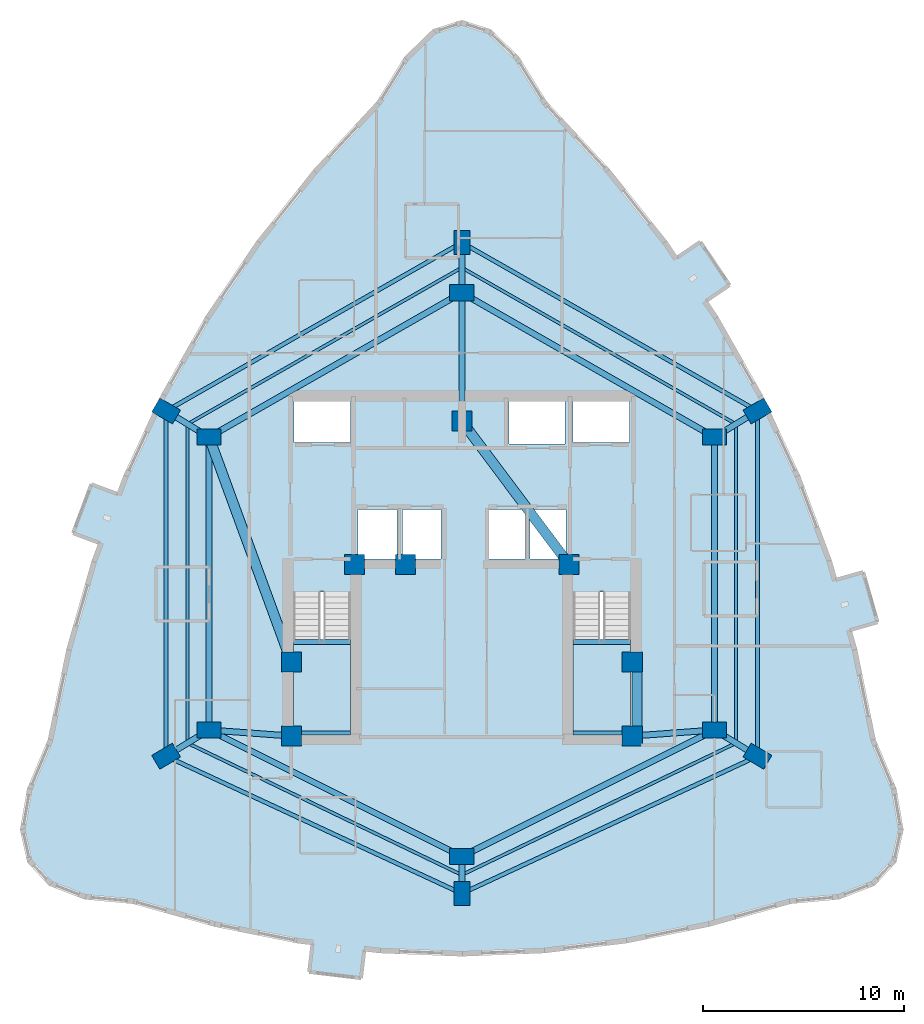
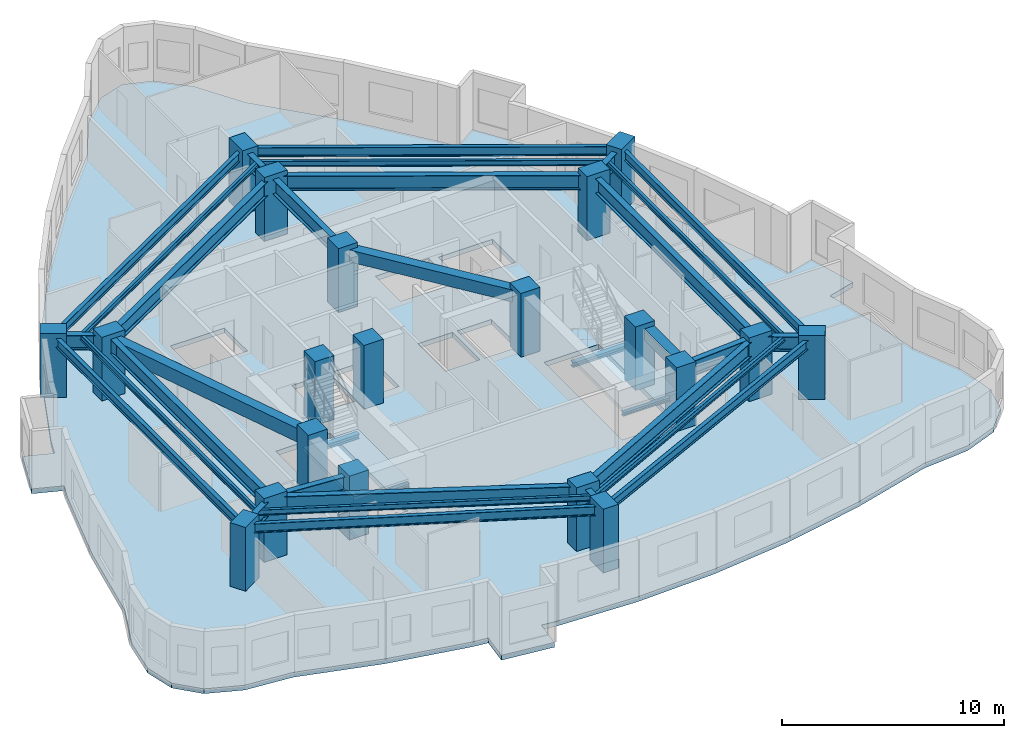
# One storey, part 1 of 10: 34 beams, 20 columns, 3 slabs, 2 elements without a shape of their own.
"""IFC4 building model written with IfcOpenShell, lengths in metres."""

from ifc_helpers import new_model, si_unit, direction, frame, origin, origin_2d, place, context, subcontext, project, spatial, polyline, rectangle, i_section, outline, extrude, material, layer, layer_set, material_profile, profile_set, type_object, element, aggregate, save


model = new_model("IFC4")

# Units and contexts
model_context = context("Model", 3, precision=1e-05, world=origin(), true_north=direction((0.0, 1.0)))
body_context = subcontext(model_context, "Body", "Model", "MODEL_VIEW")
ifc_project = project(units=[si_unit("LENGTHUNIT", "METRE"), si_unit("AREAUNIT", "SQUARE_METRE"), si_unit("VOLUMEUNIT", "CUBIC_METRE"), si_unit("PLANEANGLEUNIT", "RADIAN"), si_unit("MASSUNIT", "GRAM", prefix="KILO")], contexts=[model_context])

# Site, building, storey
site_placement = place(None, origin())
site = spatial("IfcSite", under=ifc_project, at=site_placement, CompositionType="ELEMENT")
building_placement = place(site_placement, origin())
building = spatial("IfcBuilding", under=site, at=building_placement, Name="Miruveldt Soraemaru", CompositionType="ELEMENT")
storey_placement = place(building_placement, frame((0.0, 0.0, 121.39990234375)))
storey = spatial("IfcBuildingStorey", under=building, at=storey_placement, Name="L33", CompositionType="ELEMENT", Elevation=121.39990234375)

# Columns
ifc_material_1 = material(Name="Concrete C60/75 (60 MPa)", Category="concrete")
ifc_material_profile_1 = material_profile(ifc_material_1, rectangle(XDim=1.0, YDim=1.0, at=origin_2d()), Name="Concrete C60/75 (60 MPa)", Category="concrete")
ifc_profile_set_1 = profile_set([ifc_material_profile_1], Name="Concrete C60/75 (60 MPa)")
column_type_1 = type_object("IfcColumnType", Name="COL-CORE-1000", PredefinedType="COLUMN", material=ifc_profile_set_1)
for number, where, z_axis, x_axis, name in (
    (1, (35.5, 35.5, 0.0), (0.0, 0.0, 1.0), (1.0, 0.0, 0.0), "L33 Structural Column CC1"),
    (2, (38.64990234375, 44.050048828125, 0.0), (0.0, 0.0, 1.0), (1.0, 0.0, 0.0), "L33 Structural Column CC2"),
    (3, (52.5, 35.5, 0.0), (0.0, 0.0, 1.0), (1.0, 0.0, 0.0), "L33 Structural Column CC3"),
    (4, (52.5, 39.199951171875, 0.0), (0.0, 0.0, 1.0), (1.0, 0.0, 0.0), "L33 Structural Column CC4"),
    (5, (49.35009765625, 44.050048828125, 0.0), (0.0, 0.0, 1.0), (1.0, 0.0, 0.0), "L33 Structural Column CC5"),
    (6, (44.0, 51.199951171875, 0.0), (0.0, 0.0, 1.0), (1.0, 0.0, 0.0), "L33 Structural Column CC6"),
    (7, (35.5, 39.199951171875, 0.0), (0.0, 0.0, 1.0), (1.0, 0.0, 0.0), "L33 Structural Column CC7"),
    (8, (41.199951171875, 44.050048828125, 0.0), (0.0, 0.0, 1.0), (1.0, 0.0, 0.0), "L33 Structural Column CC8"),
):
    element("IfcColumn", number, at=place(storey_placement, frame(where, z_axis=z_axis, x_axis=x_axis)), inside=storey, type_object=column_type_1, Name=name, PredefinedType="COLUMN", context=body_context, shape_type="SweptSolid", body=[
        extrude(rectangle(XDim=1.0, YDim=1.0, at=origin_2d()), origin(), (0.0, 0.0, 1.0), 3.5),
    ])
ifc_material_2 = material(Name="Concrete C70/85 (70 MPa)", Category="concrete")
ifc_material_profile_2 = material_profile(ifc_material_2, rectangle(XDim=1.199951171875, YDim=0.800048828125, at=origin_2d()), Name="Concrete C70/85 (70 MPa)", Category="concrete")
ifc_profile_set_2 = profile_set([ifc_material_profile_2], Name="Concrete C70/85 (70 MPa)")
column_type_2 = type_object("IfcColumnType", Name="COL-TW-Z2", PredefinedType="COLUMN", material=ifc_profile_set_2)
for number, where, z_axis, x_axis, name in (
    (9, (44.0, 57.60009765625, 0.0), (0.0, 0.0, 1.0), (1.0, 0.0, 0.0), "L33 Structural Column IR01"),
    (10, (56.60009765625, 50.39990234375, 0.0), (0.0, 0.0, 1.0), (1.0, 0.0, 0.0), "L33 Structural Column IR02"),
    (11, (56.60009765625, 35.800048828125, 0.0), (0.0, 0.0, 1.0), (1.0, 0.0, 0.0), "L33 Structural Column IR03"),
    (12, (44.0, 29.5, 0.0), (0.0, 0.0, 1.0), (1.0, 0.0, 0.0), "L33 Structural Column IR04"),
    (13, (31.39990234375, 35.800048828125, 0.0), (0.0, 0.0, 1.0), (1.0, 0.0, 0.0), "L33 Structural Column IR05"),
    (14, (31.39990234375, 50.39990234375, 0.0), (0.0, 0.0, 1.0), (1.0, 0.0, 0.0), "L33 Structural Column IR06"),
    (15, (44.0, 60.10595703125, 0.0), (0.0, 0.0, 1.0), (0.0, 1.0, 0.0), "L33 Structural Column Z2P01"),
    (16, (58.739990234375, 51.705078125, 0.0), (0.0, 0.0, 1.0), (0.866025403784, 0.5, 0.0), "L33 Structural Column Z2P02"),
    (17, (58.739990234375, 34.4951171875, 0.0), (0.0, 0.0, 1.0), (-0.860742027004, 0.50904141575, 0.0), "L33 Structural Column Z2P03"),
    (18, (44.0, 27.64697265625, 0.0), (0.0, 0.0, 1.0), (0.0, 1.0, 0.0), "L33 Structural Column Z2P04"),
    (19, (29.260009765625, 34.4951171875, 0.0), (0.0, 0.0, 1.0), (0.860742027004, 0.50904141575, 0.0), "L33 Structural Column Z2P05"),
    (20, (29.260009765625, 51.705078125, 0.0), (0.0, 0.0, 1.0), (-0.866025403784, 0.5, 0.0), "L33 Structural Column Z2P06"),
):
    element("IfcColumn", number, at=place(storey_placement, frame(where, z_axis=z_axis, x_axis=x_axis)), inside=storey, type_object=column_type_2, Name=name, PredefinedType="COLUMN", context=body_context, shape_type="SweptSolid", body=[
        extrude(rectangle(XDim=1.199951171875, YDim=0.800048828125, at=origin_2d()), origin(), (0.0, 0.0, 1.0), 3.5),
    ])

# Beams
ifc_material_3 = material(Name="Concrete C50/60 (50 MPa)", Category="concrete")
ifc_material_profile_3 = material_profile(ifc_material_3, rectangle(XDim=0.5, YDim=0.64990234375, at=origin_2d()), Name="Concrete C50/60 (50 MPa)", Category="concrete")
ifc_profile_set_3 = profile_set([ifc_material_profile_3], Name="Concrete C50/60 (50 MPa)")
beam_type_1 = type_object("IfcBeamType", Name="BM-RC-500x650", PredefinedType="BEAM", material=ifc_profile_set_3)
beam_1_placement = place(storey_placement, frame((52.72998046875, 35.5, 2.91015625), z_axis=(0.0, 1.0, 0.0), x_axis=(-1.0, 0.0, 0.0)))
element("IfcBeam", 21, at=beam_1_placement, inside=storey, type_object=beam_type_1, Name="L33 Core Tie Beam 3", PredefinedType="BEAM", context=body_context, shape_type="SweptSolid", body=[
    extrude(rectangle(XDim=0.5, YDim=0.64990234375, at=origin_2d()), origin(), (0.0, 0.0, 1.0), 3.699951171875),
])
beam_2_placement = place(storey_placement, frame((49.35009765625, 44.050048828125, 2.91015625), z_axis=(-0.599116023999, 0.800662219533, 0.0), x_axis=(-0.800662219533, -0.599116023999, 0.0)))
element("IfcBeam", 22, at=beam_2_placement, inside=storey, type_object=beam_type_1, Name="L33 Core Tie Beam 5", PredefinedType="BEAM", context=body_context, shape_type="SweptSolid", body=[
    extrude(rectangle(XDim=0.5, YDim=0.64990234375, at=origin_2d()), origin(), (0.0, 0.0, 1.0), 8.929931640625),
])
ifc_material_4 = material(Name="Concrete C40/50 (40 MPa)", Category="concrete")
ifc_material_profile_4 = material_profile(ifc_material_4, rectangle(XDim=0.5, YDim=0.75, at=origin_2d()), Name="Concrete C40/50 (40 MPa)", Category="concrete")
ifc_profile_set_4 = profile_set([ifc_material_profile_4], Name="Concrete C40/50 (40 MPa)")
beam_type_2 = type_object("IfcBeamType", Name="BM-RC-500x750", PredefinedType="LINTEL", material=ifc_profile_set_4)
beam_3_placement = place(storey_placement, frame((31.39990234375, 50.39990234375, 2.860107421875), z_axis=(0.343770424598, -0.939053723262, 0.0), x_axis=(0.939053723262, 0.343770424598, 0.0)))
element("IfcBeam", 23, at=beam_3_placement, inside=storey, type_object=beam_type_2, Name="L33 West Lobby Lintel", PredefinedType="LINTEL", context=body_context, shape_type="SweptSolid", body=[
    extrude(rectangle(XDim=0.5, YDim=0.75, at=origin_2d()), origin(), (0.0, 0.0, 1.0), 11.9267578125),
])
ifc_material_5 = material(Name="Steel SM355 (355 MPa)", Category="steel")
ifc_material_profile_5 = material_profile(ifc_material_5, i_section(OverallWidth=0.14990234375, OverallDepth=0.300048828125, WebThickness=0.006591796875, FlangeThickness=0.009033203125, FilletRadius=0.012939453125, at=origin_2d()), Name="Steel SM355 (355 MPa)", Category="steel")
ifc_profile_set_5 = profile_set([ifc_material_profile_5], Name="Steel SM355 (355 MPa)")
beam_type_3 = type_object("IfcBeamType", Name="BM-ST-H300", PredefinedType="JOIST", material=ifc_profile_set_5)
beam_4_placement = place(storey_placement, frame((44.0, 58.85302734375, 3.085205078125), z_axis=(0.868539859756, -0.495619321672, 0.0), x_axis=(0.495619321672, 0.868539859756, 0.0)))
element("IfcBeam", 24, at=beam_4_placement, inside=storey, type_object=beam_type_3, Name="L33 Outer Bay Floor Joist 1", PredefinedType="JOIST", context=body_context, shape_type="SweptSolid", body=[
    extrude(i_section(OverallWidth=0.14990234375, OverallDepth=0.300048828125, WebThickness=0.006591796875, FlangeThickness=0.009033203125, FilletRadius=0.012939453125, at=origin_2d()), origin(), (0.0, 0.0, 1.0), 15.739013671875),
])
beam_5_placement = place(storey_placement, frame((57.669921875, 51.052490234375, 3.085205078125), z_axis=(0.0, -1.0, 0.0), x_axis=(1.0, 0.0, 0.0)))
element("IfcBeam", 25, at=beam_5_placement, inside=storey, type_object=beam_type_3, Name="L33 Outer Bay Floor Joist 2", PredefinedType="JOIST", context=body_context, shape_type="SweptSolid", body=[
    extrude(i_section(OverallWidth=0.14990234375, OverallDepth=0.300048828125, WebThickness=0.006591796875, FlangeThickness=0.009033203125, FilletRadius=0.012939453125, at=origin_2d()), origin(), (0.0, 0.0, 1.0), 15.905029296875),
])
for number, where, z_axis, x_axis, name in (
    (26, (57.669921875, 35.1474609375, 3.085205078125), (-0.901203586802, -0.433396002676, 0.0), (0.433396002676, -0.901203586802, 0.0), "L33 Outer Bay Floor Joist 3"),
    (27, (44.0, 28.573486328125, 3.085205078125), (-0.901203586802, 0.433396002676, 0.0), (-0.433396002676, -0.901203586802, 0.0), "L33 Outer Bay Floor Joist 4"),
):
    element("IfcBeam", number, at=place(storey_placement, frame(where, z_axis=z_axis, x_axis=x_axis)), inside=storey, type_object=beam_type_3, Name=name, PredefinedType="JOIST", context=body_context, shape_type="SweptSolid", body=[
        extrude(i_section(OverallWidth=0.14990234375, OverallDepth=0.300048828125, WebThickness=0.006591796875, FlangeThickness=0.009033203125, FilletRadius=0.012939453125, at=origin_2d()), origin(), (0.0, 0.0, 1.0), 15.16845703125),
    ])
beam_6_placement = place(storey_placement, frame((30.330078125, 35.1474609375, 3.085205078125), z_axis=(0.0, 1.0, 0.0), x_axis=(-1.0, 0.0, 0.0)))
element("IfcBeam", 28, at=beam_6_placement, inside=storey, type_object=beam_type_3, Name="L33 Outer Bay Floor Joist 5", PredefinedType="JOIST", context=body_context, shape_type="SweptSolid", body=[
    extrude(i_section(OverallWidth=0.14990234375, OverallDepth=0.300048828125, WebThickness=0.006591796875, FlangeThickness=0.009033203125, FilletRadius=0.012939453125, at=origin_2d()), origin(), (0.0, 0.0, 1.0), 15.905029296875),
])
beam_7_placement = place(storey_placement, frame((30.330078125, 51.052490234375, 3.085205078125), z_axis=(0.868539859756, 0.495619321672, 0.0), x_axis=(-0.495619321672, 0.868539859756, 0.0)))
element("IfcBeam", 29, at=beam_7_placement, inside=storey, type_object=beam_type_3, Name="L33 Outer Bay Floor Joist 6", PredefinedType="JOIST", context=body_context, shape_type="SweptSolid", body=[
    extrude(i_section(OverallWidth=0.14990234375, OverallDepth=0.300048828125, WebThickness=0.006591796875, FlangeThickness=0.009033203125, FilletRadius=0.012939453125, at=origin_2d()), origin(), (0.0, 0.0, 1.0), 15.739013671875),
])
ifc_material_profile_6 = material_profile(ifc_material_5, i_section(OverallWidth=0.199951171875, OverallDepth=0.5, WebThickness=0.010009765625, FlangeThickness=0.01611328125, FilletRadius=0.02001953125, at=origin_2d()), Name="Steel SM355 (355 MPa)", Category="steel")
ifc_profile_set_6 = profile_set([ifc_material_profile_6], Name="Steel SM355 (355 MPa)")
beam_type_4 = type_object("IfcBeamType", Name="BM-ST-H500", PredefinedType="SPANDREL", material=ifc_profile_set_6)
beam_8_placement = place(storey_placement, frame((44.0, 60.10595703125, 2.985107421875), z_axis=(0.86880048516, -0.495162313778, 0.0), x_axis=(0.495162313778, 0.86880048516, 0.0)))
element("IfcBeam", 30, at=beam_8_placement, inside=storey, type_object=beam_type_4, Name="L33 Zone-2 Spandrel Beam 1", PredefinedType="SPANDREL", context=body_context, shape_type="SweptSolid", body=[
    extrude(i_section(OverallWidth=0.199951171875, OverallDepth=0.5, WebThickness=0.010009765625, FlangeThickness=0.01611328125, FilletRadius=0.02001953125, at=origin_2d()), origin(), (0.0, 0.0, 1.0), 16.9658203125),
])
beam_9_placement = place(storey_placement, frame((58.739990234375, 51.705078125, 2.985107421875), z_axis=(0.0, -1.0, 0.0), x_axis=(1.0, 0.0, 0.0)))
element("IfcBeam", 31, at=beam_9_placement, inside=storey, type_object=beam_type_4, Name="L33 Zone-2 Spandrel Beam 2", PredefinedType="SPANDREL", context=body_context, shape_type="SweptSolid", body=[
    extrude(i_section(OverallWidth=0.199951171875, OverallDepth=0.5, WebThickness=0.010009765625, FlangeThickness=0.01611328125, FilletRadius=0.02001953125, at=origin_2d()), origin(), (0.0, 0.0, 1.0), 17.2099609375),
])
for number, where, z_axis, x_axis, name in (
    (32, (58.739990234375, 34.4951171875, 2.985107421875), (-0.906901362829, -0.421342993414, 0.0), (0.421342993414, -0.906901362829, 0.0), "L33 Zone-2 Spandrel Beam 3"),
    (33, (44.0, 27.64697265625, 2.985107421875), (-0.906901362829, 0.421342993414, 0.0), (-0.421342993414, -0.906901362829, 0.0), "L33 Zone-2 Spandrel Beam 4"),
):
    element("IfcBeam", number, at=place(storey_placement, frame(where, z_axis=z_axis, x_axis=x_axis)), inside=storey, type_object=beam_type_4, Name=name, PredefinedType="SPANDREL", context=body_context, shape_type="SweptSolid", body=[
        extrude(i_section(OverallWidth=0.199951171875, OverallDepth=0.5, WebThickness=0.010009765625, FlangeThickness=0.01611328125, FilletRadius=0.02001953125, at=origin_2d()), origin(), (0.0, 0.0, 1.0), 16.253173828125),
    ])
beam_10_placement = place(storey_placement, frame((29.260009765625, 34.4951171875, 2.985107421875), z_axis=(0.0, 1.0, 0.0), x_axis=(-1.0, 0.0, 0.0)))
element("IfcBeam", 34, at=beam_10_placement, inside=storey, type_object=beam_type_4, Name="L33 Zone-2 Spandrel Beam 5", PredefinedType="SPANDREL", context=body_context, shape_type="SweptSolid", body=[
    extrude(i_section(OverallWidth=0.199951171875, OverallDepth=0.5, WebThickness=0.010009765625, FlangeThickness=0.01611328125, FilletRadius=0.02001953125, at=origin_2d()), origin(), (0.0, 0.0, 1.0), 17.2099609375),
])
beam_11_placement = place(storey_placement, frame((29.260009765625, 51.705078125, 2.985107421875), z_axis=(0.86880048516, 0.495162313778, 0.0), x_axis=(-0.495162313778, 0.86880048516, 0.0)))
element("IfcBeam", 35, at=beam_11_placement, inside=storey, type_object=beam_type_4, Name="L33 Zone-2 Spandrel Beam 6", PredefinedType="SPANDREL", context=body_context, shape_type="SweptSolid", body=[
    extrude(i_section(OverallWidth=0.199951171875, OverallDepth=0.5, WebThickness=0.010009765625, FlangeThickness=0.01611328125, FilletRadius=0.02001953125, at=origin_2d()), origin(), (0.0, 0.0, 1.0), 16.9658203125),
])
ifc_material_6 = material(Name="Steel S460 (460 MPa)", Category="steel")
ifc_material_profile_7 = material_profile(ifc_material_6, i_section(OverallWidth=0.300048828125, OverallDepth=0.800048828125, WebThickness=0.013916015625, FlangeThickness=0.02587890625, FilletRadius=0.028076171875, at=origin_2d()), Name="Steel S460 (460 MPa)", Category="steel")
ifc_profile_set_7 = profile_set([ifc_material_profile_7], Name="Steel S460 (460 MPa)")
beam_type_5 = type_object("IfcBeamType", Name="BM-ST-H800", PredefinedType="BEAM", material=ifc_profile_set_7)
beam_12_placement = place(storey_placement, frame((44.0, 57.60009765625, 2.835205078125), z_axis=(0.868239001029, -0.496146185203, 0.0), x_axis=(0.496146185203, 0.868239001029, 0.0)))
element("IfcBeam", 36, at=beam_12_placement, inside=storey, type_object=beam_type_5, Name="L33 Inner Ring Girder 1", PredefinedType="BEAM", context=body_context, shape_type="SweptSolid", body=[
    extrude(i_section(OverallWidth=0.300048828125, OverallDepth=0.800048828125, WebThickness=0.013916015625, FlangeThickness=0.02587890625, FilletRadius=0.028076171875, at=origin_2d()), origin(), (0.0, 0.0, 1.0), 14.51220703125),
])
beam_13_placement = place(storey_placement, frame((44.0, 51.199951171875, 2.835205078125), z_axis=(0.0, 1.0, 0.0), x_axis=(-1.0, 0.0, 0.0)))
element("IfcBeam", 37, at=beam_13_placement, inside=storey, type_object=beam_type_5, Name="L33 Core-to-Inner Radial Girder 1", PredefinedType="BEAM", context=body_context, shape_type="SweptSolid", body=[
    extrude(i_section(OverallWidth=0.300048828125, OverallDepth=0.800048828125, WebThickness=0.013916015625, FlangeThickness=0.02587890625, FilletRadius=0.028076171875, at=origin_2d()), origin(), (0.0, 0.0, 1.0), 6.400146484375),
])
beam_14_placement = place(storey_placement, frame((56.60009765625, 50.39990234375, 2.835205078125), z_axis=(0.0, -1.0, 0.0), x_axis=(1.0, 0.0, 0.0)))
element("IfcBeam", 38, at=beam_14_placement, inside=storey, type_object=beam_type_5, Name="L33 Inner Ring Girder 2", PredefinedType="BEAM", context=body_context, shape_type="SweptSolid", body=[
    extrude(i_section(OverallWidth=0.300048828125, OverallDepth=0.800048828125, WebThickness=0.013916015625, FlangeThickness=0.02587890625, FilletRadius=0.028076171875, at=origin_2d()), origin(), (0.0, 0.0, 1.0), 14.599853515625),
])
beam_15_placement = place(storey_placement, frame((56.60009765625, 35.800048828125, 2.835205078125), z_axis=(-0.894427191, -0.4472135955, 0.0), x_axis=(0.4472135955, -0.894427191, 0.0)))
element("IfcBeam", 39, at=beam_15_placement, inside=storey, type_object=beam_type_5, Name="L33 Inner Ring Girder 3", PredefinedType="BEAM", context=body_context, shape_type="SweptSolid", body=[
    extrude(i_section(OverallWidth=0.300048828125, OverallDepth=0.800048828125, WebThickness=0.013916015625, FlangeThickness=0.02587890625, FilletRadius=0.028076171875, at=origin_2d()), origin(), (0.0, 0.0, 1.0), 14.08740234375),
])
beam_16_placement = place(storey_placement, frame((52.5, 35.5, 2.835205078125), z_axis=(0.997332985605, 0.072985723431, 0.0), x_axis=(-0.072985723431, 0.997332985605, 0.0)))
element("IfcBeam", 40, at=beam_16_placement, inside=storey, type_object=beam_type_5, Name="L33 Core-to-Inner Radial Girder 3", PredefinedType="BEAM", context=body_context, shape_type="SweptSolid", body=[
    extrude(i_section(OverallWidth=0.300048828125, OverallDepth=0.800048828125, WebThickness=0.013916015625, FlangeThickness=0.02587890625, FilletRadius=0.028076171875, at=origin_2d()), origin(), (0.0, 0.0, 1.0), 4.111083984375),
])
beam_17_placement = place(storey_placement, frame((44.0, 29.5, 2.835205078125), z_axis=(-0.894427191, 0.4472135955, 0.0), x_axis=(-0.4472135955, -0.894427191, 0.0)))
element("IfcBeam", 41, at=beam_17_placement, inside=storey, type_object=beam_type_5, Name="L33 Inner Ring Girder 4", PredefinedType="BEAM", context=body_context, shape_type="SweptSolid", body=[
    extrude(i_section(OverallWidth=0.300048828125, OverallDepth=0.800048828125, WebThickness=0.013916015625, FlangeThickness=0.02587890625, FilletRadius=0.028076171875, at=origin_2d()), origin(), (0.0, 0.0, 1.0), 14.08740234375),
])
beam_18_placement = place(storey_placement, frame((31.39990234375, 35.800048828125, 2.835205078125), z_axis=(0.0, 1.0, 0.0), x_axis=(-1.0, 0.0, 0.0)))
element("IfcBeam", 42, at=beam_18_placement, inside=storey, type_object=beam_type_5, Name="L33 Inner Ring Girder 5", PredefinedType="BEAM", context=body_context, shape_type="SweptSolid", body=[
    extrude(i_section(OverallWidth=0.300048828125, OverallDepth=0.800048828125, WebThickness=0.013916015625, FlangeThickness=0.02587890625, FilletRadius=0.028076171875, at=origin_2d()), origin(), (0.0, 0.0, 1.0), 14.599853515625),
])
beam_19_placement = place(storey_placement, frame((35.5, 35.5, 2.835205078125), z_axis=(-0.997332985605, 0.072985723431, 0.0), x_axis=(-0.072985723431, -0.997332985605, 0.0)))
element("IfcBeam", 43, at=beam_19_placement, inside=storey, type_object=beam_type_5, Name="L33 Core-to-Inner Radial Girder 5", PredefinedType="BEAM", context=body_context, shape_type="SweptSolid", body=[
    extrude(i_section(OverallWidth=0.300048828125, OverallDepth=0.800048828125, WebThickness=0.013916015625, FlangeThickness=0.02587890625, FilletRadius=0.028076171875, at=origin_2d()), origin(), (0.0, 0.0, 1.0), 4.111083984375),
])
beam_20_placement = place(storey_placement, frame((31.39990234375, 50.39990234375, 2.835205078125), z_axis=(0.868239001029, 0.496146185203, 0.0), x_axis=(-0.496146185203, 0.868239001029, 0.0)))
element("IfcBeam", 44, at=beam_20_placement, inside=storey, type_object=beam_type_5, Name="L33 Inner Ring Girder 6", PredefinedType="BEAM", context=body_context, shape_type="SweptSolid", body=[
    extrude(i_section(OverallWidth=0.300048828125, OverallDepth=0.800048828125, WebThickness=0.013916015625, FlangeThickness=0.02587890625, FilletRadius=0.028076171875, at=origin_2d()), origin(), (0.0, 0.0, 1.0), 14.51220703125),
])
beam_21_placement = place(storey_placement, frame((44.0, 57.60009765625, 2.835205078125), z_axis=(0.0, 1.0, 0.0), x_axis=(-1.0, 0.0, 0.0)))
element("IfcBeam", 45, at=beam_21_placement, inside=storey, type_object=beam_type_5, Name="L33 Zone-2 Radial Girder 1", PredefinedType="BEAM", context=body_context, shape_type="SweptSolid", body=[
    extrude(i_section(OverallWidth=0.300048828125, OverallDepth=0.800048828125, WebThickness=0.013916015625, FlangeThickness=0.02587890625, FilletRadius=0.028076171875, at=origin_2d()), origin(), (0.0, 0.0, 1.0), 2.505859375),
])
beam_22_placement = place(storey_placement, frame((56.60009765625, 50.39990234375, 2.835205078125), z_axis=(0.85373175529, 0.520713059188, 0.0), x_axis=(-0.520713059188, 0.85373175529, 0.0)))
element("IfcBeam", 46, at=beam_22_placement, inside=storey, type_object=beam_type_5, Name="L33 Zone-2 Radial Girder 2", PredefinedType="BEAM", context=body_context, shape_type="SweptSolid", body=[
    extrude(i_section(OverallWidth=0.300048828125, OverallDepth=0.800048828125, WebThickness=0.013916015625, FlangeThickness=0.02587890625, FilletRadius=0.028076171875, at=origin_2d()), origin(), (0.0, 0.0, 1.0), 2.506591796875),
])
beam_23_placement = place(storey_placement, frame((56.60009765625, 35.800048828125, 2.835205078125), z_axis=(0.853775054686, -0.5206420613, 0.0), x_axis=(0.5206420613, 0.853775054686, 0.0)))
element("IfcBeam", 47, at=beam_23_placement, inside=storey, type_object=beam_type_5, Name="L33 Zone-2 Radial Girder 3", PredefinedType="BEAM", context=body_context, shape_type="SweptSolid", body=[
    extrude(i_section(OverallWidth=0.300048828125, OverallDepth=0.800048828125, WebThickness=0.013916015625, FlangeThickness=0.02587890625, FilletRadius=0.028076171875, at=origin_2d()), origin(), (0.0, 0.0, 1.0), 2.50634765625),
])
beam_24_placement = place(storey_placement, frame((44.0, 29.5, 2.835205078125), z_axis=(0.0, -1.0, 0.0), x_axis=(1.0, 0.0, 0.0)))
element("IfcBeam", 48, at=beam_24_placement, inside=storey, type_object=beam_type_5, Name="L33 Zone-2 Radial Girder 4", PredefinedType="BEAM", context=body_context, shape_type="SweptSolid", body=[
    extrude(i_section(OverallWidth=0.300048828125, OverallDepth=0.800048828125, WebThickness=0.013916015625, FlangeThickness=0.02587890625, FilletRadius=0.028076171875, at=origin_2d()), origin(), (0.0, 0.0, 1.0), 1.85302734375),
])
beam_25_placement = place(storey_placement, frame((31.39990234375, 35.800048828125, 2.835205078125), z_axis=(-0.853775054686, -0.5206420613, 0.0), x_axis=(0.5206420613, -0.853775054686, 0.0)))
element("IfcBeam", 49, at=beam_25_placement, inside=storey, type_object=beam_type_5, Name="L33 Zone-2 Radial Girder 5", PredefinedType="BEAM", context=body_context, shape_type="SweptSolid", body=[
    extrude(i_section(OverallWidth=0.300048828125, OverallDepth=0.800048828125, WebThickness=0.013916015625, FlangeThickness=0.02587890625, FilletRadius=0.028076171875, at=origin_2d()), origin(), (0.0, 0.0, 1.0), 2.50634765625),
])
beam_26_placement = place(storey_placement, frame((31.39990234375, 50.39990234375, 2.835205078125), z_axis=(-0.85373175529, 0.520713059188, 0.0), x_axis=(-0.520713059188, -0.85373175529, 0.0)))
element("IfcBeam", 50, at=beam_26_placement, inside=storey, type_object=beam_type_5, Name="L33 Zone-2 Radial Girder 6", PredefinedType="BEAM", context=body_context, shape_type="SweptSolid", body=[
    extrude(i_section(OverallWidth=0.300048828125, OverallDepth=0.800048828125, WebThickness=0.013916015625, FlangeThickness=0.02587890625, FilletRadius=0.028076171875, at=origin_2d()), origin(), (0.0, 0.0, 1.0), 2.506591796875),
])
ifc_material_profile_8 = material_profile(ifc_material_5, i_section(OverallWidth=0.199951171875, OverallDepth=0.199951171875, WebThickness=0.008056640625, FlangeThickness=0.011962890625, FilletRadius=0.012939453125, at=origin_2d()), Name="Steel SM355 (355 MPa)", Category="steel")
ifc_profile_set_8 = profile_set([ifc_material_profile_8], Name="Steel SM355 (355 MPa)")
beam_type_6 = type_object("IfcBeamType", Name="BM-ST-LND200", PredefinedType="BEAM", material=ifc_profile_set_8)
for number, where, z_axis, x_axis, name in (
    (51, (35.60009765625, 35.64990234375, 1.4501953125), (1.0, 0.0, 0.0), (0.0, 1.0, 0.0), "L33 ST1 Landing End Beam 1B"),
    (52, (49.550048828125, 35.64990234375, 1.4501953125), (1.0, 0.0, 0.0), (0.0, 1.0, 0.0), "L33 ST2 Landing End Beam 1B"),
):
    element("IfcBeam", number, at=place(storey_placement, frame(where, z_axis=z_axis, x_axis=x_axis)), inside=storey, type_object=beam_type_6, Name=name, PredefinedType="BEAM", context=body_context, shape_type="SweptSolid", body=[
        extrude(i_section(OverallWidth=0.199951171875, OverallDepth=0.199951171875, WebThickness=0.008056640625, FlangeThickness=0.011962890625, FilletRadius=0.012939453125, at=origin_2d()), origin(), (0.0, 0.0, 1.0), 2.849853515625),
    ])
ifc_material_profile_9 = material_profile(ifc_material_5, i_section(OverallWidth=0.25, OverallDepth=0.25, WebThickness=0.009033203125, FlangeThickness=0.013916015625, FilletRadius=0.01611328125, at=origin_2d()), Name="Steel SM355 (355 MPa)", Category="steel")
ifc_profile_set_9 = profile_set([ifc_material_profile_9], Name="Steel SM355 (355 MPa)")
beam_type_7 = type_object("IfcBeamType", Name="BM-ST-LND250", PredefinedType="BEAM", material=ifc_profile_set_9)
for number, where, z_axis, x_axis, name in (
    (53, (35.60009765625, 40.179931640625, 1.425048828125), (1.0, 0.0, 0.0), (0.0, 1.0, 0.0), "L33 ST1 Landing Support Beam 1A"),
    (54, (49.550048828125, 40.179931640625, 1.425048828125), (1.0, 0.0, 0.0), (0.0, 1.0, 0.0), "L33 ST2 Landing Support Beam 1A"),
):
    element("IfcBeam", number, at=place(storey_placement, frame(where, z_axis=z_axis, x_axis=x_axis)), inside=storey, type_object=beam_type_7, Name=name, PredefinedType="BEAM", context=body_context, shape_type="SweptSolid", body=[
        extrude(i_section(OverallWidth=0.25, OverallDepth=0.25, WebThickness=0.009033203125, FlangeThickness=0.013916015625, FilletRadius=0.01611328125, at=origin_2d()), origin(), (0.0, 0.0, 1.0), 2.849853515625),
    ])

# Stair, slab
stair_type = type_object("IfcStairType", Name="STAIR-DL-350", PredefinedType="HALF_TURN_STAIR", material=ifc_material_4)
stair_1_placement = place(storey_placement, origin())
stair_1 = element("IfcStair", 55, at=stair_1_placement, inside=storey, type_object=stair_type, Name="L33 Protected Exit Stair ST-1", PredefinedType="HALF_TURN_STAIR")
ifc_layer_1 = layer(ifc_material_4, 0.199951171875, Name="Concrete C40/50 (40 MPa)", Category="concrete")
ifc_layer_set_1 = layer_set([ifc_layer_1], Name="Concrete C40/50 (40 MPa)")
slab_type_1 = type_object("IfcSlabType", Name="SLAB-LAND-200", PredefinedType="LANDING", material=ifc_layer_set_1)
slab_1_placement = place(storey_placement, frame((0.0, 0.0, 1.550048828125)))
slab_1 = element("IfcSlab", 56, at=slab_1_placement, type_object=slab_type_1, Name="ST-1 landing 1", PredefinedType="LANDING", context=body_context, shape_type="SweptSolid", body=[
    extrude(outline(polyline([(35.60009765625, 40.197998046875), (35.60009765625, 35.64990234375), (38.449951171875, 35.64990234375), (38.449951171875, 40.197998046875), (35.60009765625, 40.197998046875)])), origin(), (0.0, 0.0, 1.0), 0.199951171875),
])
aggregate(stair_1, [slab_1])

stair_2_placement = place(storey_placement, origin())
stair_2 = element("IfcStair", 57, at=stair_2_placement, inside=storey, type_object=stair_type, Name="L33 Protected Exit Stair ST-2", PredefinedType="HALF_TURN_STAIR")
slab_2_placement = place(storey_placement, frame((0.0, 0.0, 1.550048828125)))
slab_2 = element("IfcSlab", 58, at=slab_2_placement, type_object=slab_type_1, Name="ST-2 landing 1", PredefinedType="LANDING", context=body_context, shape_type="SweptSolid", body=[
    extrude(outline(polyline([(49.550048828125, 40.197998046875), (49.550048828125, 35.64990234375), (52.39990234375, 35.64990234375), (52.39990234375, 40.197998046875), (49.550048828125, 40.197998046875)])), origin(), (0.0, 0.0, 1.0), 0.199951171875),
])
aggregate(stair_2, [slab_2])

# Slab
ifc_layer_2 = layer(ifc_material_4, 0.264892578125, Name="Concrete C40/50 (40 MPa)", Category="concrete")
ifc_layer_set_2 = layer_set([ifc_layer_2], Name="Concrete C40/50 (40 MPa)")
slab_type_2 = type_object("IfcSlabType", Name="SLAB-RES2-265", PredefinedType="FLOOR", material=ifc_layer_set_2)
slab_3_placement = place(storey_placement, frame((0.0, 0.0, -0.264892578125)))
element("IfcSlab", 59, at=slab_3_placement, inside=storey, type_object=slab_type_2, Name="L33 Structural Floor Slab", PredefinedType="FLOOR", context=body_context, shape_type="SweptSolid", body=[
    extrude(outline(polyline([(36.391845703125, 23.7412109375), (36.568115234375, 25.210693359375), (37.85888671875, 25.0556640625), (35.81201171875, 25.301513671875), (31.718017578125, 26.1201171875), (27.623779296875, 27.2666015625), (25.21337890625, 27.4892578125), (23.49169921875, 28.1572265625), (22.45849609375, 29.2705078125), (22.1142578125, 30.829345703125), (22.45849609375, 32.833251953125), (23.49169921875, 35.28271484375), (24.4267578125, 39.826904296875), (25.679443359375, 44.207275390625), (26.464599609375, 46.315673828125), (26.010986328125, 45.097412109375), (24.6240234375, 45.614013671875), (25.531494140625, 48.05029296875), (26.91845703125, 47.53369140625), (27.25, 48.423828125), (29.13818359375, 52.476806640625), (31.343994140625, 56.365966796875), (33.86767578125, 60.09130859375), (36.708984375, 63.65283203125), (39.867919921875, 67.05078125), (41.2451171875, 69.277587890625), (42.62255859375, 70.613525390625), (44.0, 71.058837890625), (45.37744140625, 70.613525390625), (46.7548828125, 69.277587890625), (48.132080078125, 67.05078125), (51.291015625, 63.65283203125), (54.13232421875, 60.09130859375), (55.394287109375, 58.228515625), (54.6650390625, 59.304931640625), (55.890380859375, 60.135009765625), (57.348388671875, 57.982421875), (56.123291015625, 57.15234375), (56.656005859375, 56.365966796875), (58.86181640625, 52.476806640625), (60.75, 48.423828125), (62.320556640625, 44.207275390625), (62.58935546875, 43.266845703125), (64.01220703125, 43.673828125), (64.727294921875, 41.17431640625), (63.304443359375, 40.76708984375), (62.947021484375, 42.01708984375), (63.5732421875, 39.826904296875), (64.50830078125, 35.28271484375), (65.54150390625, 32.833251953125), (65.8857421875, 30.829345703125), (65.54150390625, 29.2705078125), (64.50830078125, 28.1572265625), (62.78662109375, 27.4892578125), (60.376220703125, 27.2666015625), (56.281982421875, 26.1201171875), (52.18798828125, 25.301513671875), (48.093994140625, 24.81005859375), (44.0, 24.646484375), (39.906005859375, 24.81005859375), (39.149658203125, 24.90087890625), (38.973388671875, 23.431396484375), (36.391845703125, 23.7412109375)]), holes=[polyline([(35.614990234375, 35.6650390625), (38.43505859375, 35.6650390625), (38.43505859375, 42.68505859375), (35.614990234375, 42.68505859375), (35.614990234375, 35.6650390625)]), polyline([(49.56494140625, 35.6650390625), (52.385009765625, 35.6650390625), (52.385009765625, 42.68505859375), (49.56494140625, 42.68505859375), (49.56494140625, 35.6650390625)]), polyline([(40.764892578125, 44.31494140625), (40.764892578125, 46.784912109375), (38.81494140625, 46.784912109375), (38.81494140625, 44.31494140625), (40.764892578125, 44.31494140625)]), polyline([(42.965087890625, 44.31494140625), (42.965087890625, 46.784912109375), (41.034912109375, 46.784912109375), (41.034912109375, 44.31494140625), (42.965087890625, 44.31494140625)]), polyline([(47.1650390625, 44.31494140625), (47.1650390625, 46.784912109375), (45.364990234375, 46.784912109375), (45.364990234375, 44.31494140625), (47.1650390625, 44.31494140625)]), polyline([(49.18505859375, 44.31494140625), (49.18505859375, 46.784912109375), (47.39501953125, 46.784912109375), (47.39501953125, 44.31494140625), (49.18505859375, 44.31494140625)]), polyline([(38.445068359375, 50.135009765625), (38.445068359375, 52.205078125), (35.635009765625, 52.205078125), (35.635009765625, 50.135009765625), (38.445068359375, 50.135009765625)]), polyline([(49.554931640625, 50.135009765625), (52.364990234375, 50.135009765625), (52.364990234375, 52.205078125), (49.554931640625, 52.205078125), (49.554931640625, 50.135009765625)]), polyline([(46.364990234375, 50.06494140625), (49.135009765625, 50.06494140625), (49.135009765625, 52.3349609375), (46.364990234375, 52.3349609375), (46.364990234375, 50.06494140625)])]), origin(), (0.0, 0.0, 1.0), 0.264892578125),
])

save(model, "model.ifc")
